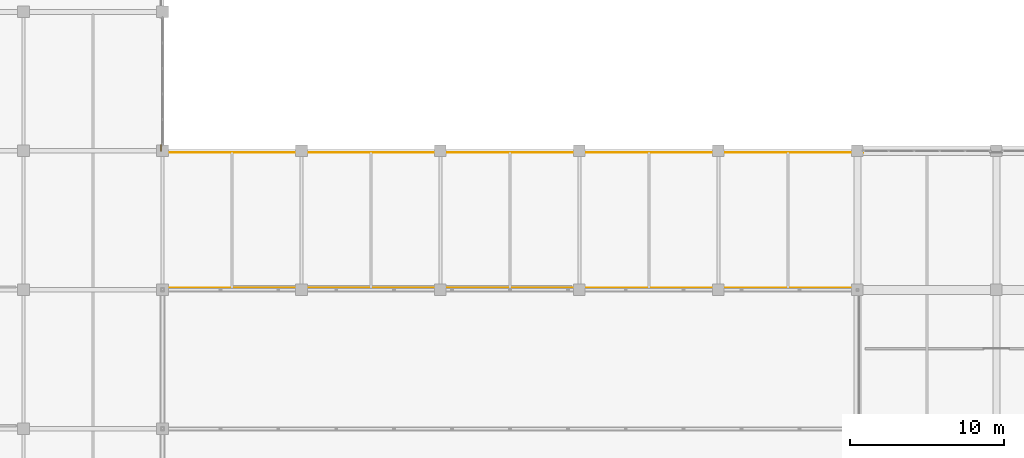
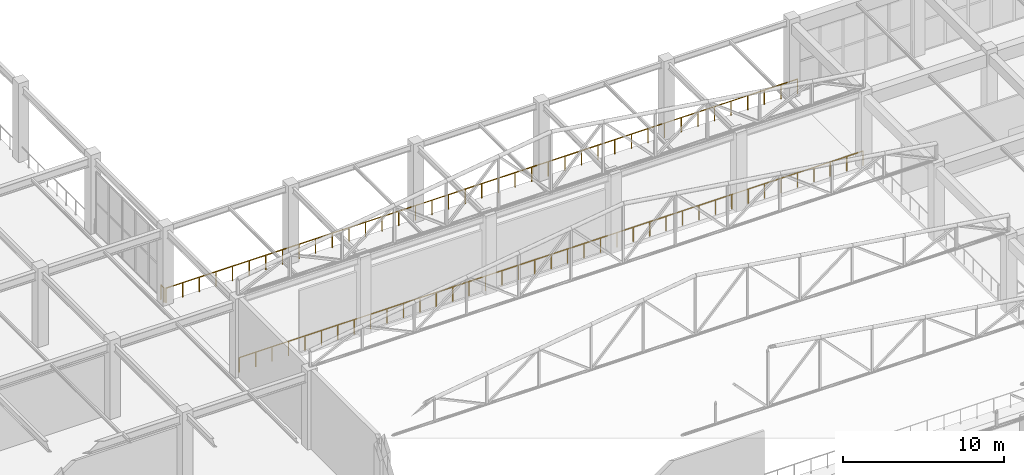
# One storey, part 214 of 223: 3 railings.
"""IFC4 building model written with IfcOpenShell, lengths in metres."""

from ifc_helpers import new_model, si_unit, direction, frame, origin, origin_2d, place, context, subcontext, project, spatial, circle, extrude, material, type_object, element, save


model = new_model("IFC4")

# Units and contexts
model_context = context("Model", 3, precision=1e-05, world=origin(), true_north=direction((0.0, 1.0)))
body_context = subcontext(model_context, "Body", "Model", "MODEL_VIEW")
ifc_project = project(units=[si_unit("LENGTHUNIT", "METRE"), si_unit("AREAUNIT", "SQUARE_METRE"), si_unit("VOLUMEUNIT", "CUBIC_METRE"), si_unit("PLANEANGLEUNIT", "RADIAN"), si_unit("MASSUNIT", "GRAM", prefix="KILO")], contexts=[model_context])

# Site, building, storey
site_placement = place(None, origin())
site = spatial("IfcSite", under=ifc_project, at=site_placement, CompositionType="ELEMENT")
building_placement = place(site_placement, origin())
building = spatial("IfcBuilding", under=site, at=building_placement, Name="Dornveld Trade and Exhibition Forum", CompositionType="ELEMENT")
storey_placement = place(building_placement, frame((0.0, 0.0, 6.0)))
storey = spatial("IfcBuildingStorey", under=building, at=storey_placement, Name="L01", CompositionType="ELEMENT", Elevation=6.0)

# Railings
ifc_material = material(Name="Dark-bronze steel and laminated glass balustrade", Category="steel")
railing_type = type_object("IfcRailingType", Name="RL-BALUST-CONC", PredefinedType="BALUSTRADE", material=ifc_material)
railing_1_placement = place(storey_placement, frame((198.0, 45.10009765625, 0.0)))
element("IfcRailing", 1, at=railing_1_placement, inside=storey, type_object=railing_type, Name="L01 deck edge balustrade 8", PredefinedType="BALUSTRADE", context=body_context, shape_type="SweptSolid", body=[
    extrude(circle(Radius=0.02490234375, at=origin_2d()), frame((0.0, 0.0, 1.09521484375), z_axis=(-1.0, 0.0, 0.0), x_axis=(0.0, -1.0, 0.0)), (0.0, 0.0, 1.0), 44.820068359375),
    extrude(circle(Radius=0.02099609375, at=origin_2d()), origin(), (0.0, 0.0, 1.0), 1.070068359375),
    extrude(circle(Radius=0.02099609375, at=origin_2d()), frame((-1.179443359375, 0.0, 0.0)), (0.0, 0.0, 1.0), 1.070068359375),
    extrude(circle(Radius=0.02099609375, at=origin_2d()), frame((-2.35888671875, 0.0, 0.0)), (0.0, 0.0, 1.0), 1.070068359375),
    extrude(circle(Radius=0.02099609375, at=origin_2d()), frame((-3.538330078125, 0.0, 0.0)), (0.0, 0.0, 1.0), 1.070068359375),
    extrude(circle(Radius=0.02099609375, at=origin_2d()), frame((-4.718017578125, 0.0, 0.0)), (0.0, 0.0, 1.0), 1.070068359375),
    extrude(circle(Radius=0.02099609375, at=origin_2d()), frame((-5.8974609375, 0.0, 0.0)), (0.0, 0.0, 1.0), 1.070068359375),
    extrude(circle(Radius=0.02099609375, at=origin_2d()), frame((-7.076904296875, 0.0, 0.0)), (0.0, 0.0, 1.0), 1.070068359375),
    extrude(circle(Radius=0.02099609375, at=origin_2d()), frame((-8.25634765625, 0.0, 0.0)), (0.0, 0.0, 1.0), 1.070068359375),
    extrude(circle(Radius=0.02099609375, at=origin_2d()), frame((-9.435791015625, 0.0, 0.0)), (0.0, 0.0, 1.0), 1.070068359375),
    extrude(circle(Radius=0.02099609375, at=origin_2d()), frame((-10.615234375, 0.0, 0.0)), (0.0, 0.0, 1.0), 1.070068359375),
    extrude(circle(Radius=0.02099609375, at=origin_2d()), frame((-11.794677734375, 0.0, 0.0)), (0.0, 0.0, 1.0), 1.070068359375),
    extrude(circle(Radius=0.02099609375, at=origin_2d()), frame((-12.97412109375, 0.0, 0.0)), (0.0, 0.0, 1.0), 1.070068359375),
    extrude(circle(Radius=0.02099609375, at=origin_2d()), frame((-14.15380859375, 0.0, 0.0)), (0.0, 0.0, 1.0), 1.070068359375),
    extrude(circle(Radius=0.02099609375, at=origin_2d()), frame((-15.333251953125, 0.0, 0.0)), (0.0, 0.0, 1.0), 1.070068359375),
    extrude(circle(Radius=0.02099609375, at=origin_2d()), frame((-16.5126953125, 0.0, 0.0)), (0.0, 0.0, 1.0), 1.070068359375),
    extrude(circle(Radius=0.02099609375, at=origin_2d()), frame((-17.692138671875, 0.0, 0.0)), (0.0, 0.0, 1.0), 1.070068359375),
    extrude(circle(Radius=0.02099609375, at=origin_2d()), frame((-18.87158203125, 0.0, 0.0)), (0.0, 0.0, 1.0), 1.070068359375),
    extrude(circle(Radius=0.02099609375, at=origin_2d()), frame((-20.051025390625, 0.0, 0.0)), (0.0, 0.0, 1.0), 1.070068359375),
    extrude(circle(Radius=0.02099609375, at=origin_2d()), frame((-21.23046875, 0.0, 0.0)), (0.0, 0.0, 1.0), 1.070068359375),
    extrude(circle(Radius=0.02099609375, at=origin_2d()), frame((-22.41015625, 0.0, 0.0)), (0.0, 0.0, 1.0), 1.070068359375),
    extrude(circle(Radius=0.02099609375, at=origin_2d()), frame((-23.589599609375, 0.0, 0.0)), (0.0, 0.0, 1.0), 1.070068359375),
    extrude(circle(Radius=0.02099609375, at=origin_2d()), frame((-24.76904296875, 0.0, 0.0)), (0.0, 0.0, 1.0), 1.070068359375),
    extrude(circle(Radius=0.02099609375, at=origin_2d()), frame((-25.948486328125, 0.0, 0.0)), (0.0, 0.0, 1.0), 1.070068359375),
    extrude(circle(Radius=0.02099609375, at=origin_2d()), frame((-27.1279296875, 0.0, 0.0)), (0.0, 0.0, 1.0), 1.070068359375),
    extrude(circle(Radius=0.02099609375, at=origin_2d()), frame((-28.307373046875, 0.0, 0.0)), (0.0, 0.0, 1.0), 1.070068359375),
    extrude(circle(Radius=0.02099609375, at=origin_2d()), frame((-29.48681640625, 0.0, 0.0)), (0.0, 0.0, 1.0), 1.070068359375),
    extrude(circle(Radius=0.02099609375, at=origin_2d()), frame((-30.666259765625, 0.0, 0.0)), (0.0, 0.0, 1.0), 1.070068359375),
    extrude(circle(Radius=0.02099609375, at=origin_2d()), frame((-31.845947265625, 0.0, 0.0)), (0.0, 0.0, 1.0), 1.070068359375),
    extrude(circle(Radius=0.02099609375, at=origin_2d()), frame((-33.025390625, 0.0, 0.0)), (0.0, 0.0, 1.0), 1.070068359375),
    extrude(circle(Radius=0.02099609375, at=origin_2d()), frame((-34.204833984375, 0.0, 0.0)), (0.0, 0.0, 1.0), 1.070068359375),
    extrude(circle(Radius=0.02099609375, at=origin_2d()), frame((-35.38427734375, 0.0, 0.0)), (0.0, 0.0, 1.0), 1.070068359375),
    extrude(circle(Radius=0.02099609375, at=origin_2d()), frame((-36.563720703125, 0.0, 0.0)), (0.0, 0.0, 1.0), 1.070068359375),
    extrude(circle(Radius=0.02099609375, at=origin_2d()), frame((-37.7431640625, 0.0, 0.0)), (0.0, 0.0, 1.0), 1.070068359375),
    extrude(circle(Radius=0.02099609375, at=origin_2d()), frame((-38.922607421875, 0.0, 0.0)), (0.0, 0.0, 1.0), 1.070068359375),
    extrude(circle(Radius=0.02099609375, at=origin_2d()), frame((-40.10205078125, 0.0, 0.0)), (0.0, 0.0, 1.0), 1.070068359375),
    extrude(circle(Radius=0.02099609375, at=origin_2d()), frame((-41.28173828125, 0.0, 0.0)), (0.0, 0.0, 1.0), 1.070068359375),
    extrude(circle(Radius=0.02099609375, at=origin_2d()), frame((-42.461181640625, 0.0, 0.0)), (0.0, 0.0, 1.0), 1.070068359375),
    extrude(circle(Radius=0.02099609375, at=origin_2d()), frame((-43.640625, 0.0, 0.0)), (0.0, 0.0, 1.0), 1.070068359375),
    extrude(circle(Radius=0.02099609375, at=origin_2d()), frame((-44.820068359375, 0.0, 0.0)), (0.0, 0.0, 1.0), 1.070068359375),
])
railing_2_placement = place(storey_placement, frame((152.89990234375, 54.37109375, 0.0)))
element("IfcRailing", 2, at=railing_2_placement, inside=storey, type_object=railing_type, Name="L01 deck edge balustrade 23", PredefinedType="BALUSTRADE", context=body_context, shape_type="SweptSolid", body=[
    extrude(circle(Radius=0.02490234375, at=origin_2d()), frame((0.0, 0.0, 1.09521484375), z_axis=(0.0, -1.0, 0.0), x_axis=(1.0, 0.0, 0.0)), (0.0, 0.0, 1.0), 0.37109375),
    extrude(circle(Radius=0.02099609375, at=origin_2d()), origin(), (0.0, 0.0, 1.0), 1.070068359375),
    extrude(circle(Radius=0.02099609375, at=origin_2d()), frame((0.0, -0.37109375, 0.0)), (0.0, 0.0, 1.0), 1.070068359375),
])
railing_3_placement = place(storey_placement, frame((153.0, 53.89990234375, 0.0)))
element("IfcRailing", 3, at=railing_3_placement, inside=storey, type_object=railing_type, Name="L01 deck edge balustrade 24", PredefinedType="BALUSTRADE", context=body_context, shape_type="SweptSolid", body=[
    extrude(circle(Radius=0.02490234375, at=origin_2d()), frame((0.0, 0.0, 1.09521484375), z_axis=(1.0, 0.0, 0.0), x_axis=(0.0, 1.0, 0.0)), (0.0, 0.0, 1.0), 45.37109375),
    extrude(circle(Radius=0.02099609375, at=origin_2d()), origin(), (0.0, 0.0, 1.0), 1.070068359375),
    extrude(circle(Radius=0.02099609375, at=origin_2d()), frame((1.194091796875, 0.0, 0.0)), (0.0, 0.0, 1.0), 1.070068359375),
    extrude(circle(Radius=0.02099609375, at=origin_2d()), frame((2.387939453125, 0.0, 0.0)), (0.0, 0.0, 1.0), 1.070068359375),
    extrude(circle(Radius=0.02099609375, at=origin_2d()), frame((3.58203125, 0.0, 0.0)), (0.0, 0.0, 1.0), 1.070068359375),
    extrude(circle(Radius=0.02099609375, at=origin_2d()), frame((4.77587890625, 0.0, 0.0)), (0.0, 0.0, 1.0), 1.070068359375),
    extrude(circle(Radius=0.02099609375, at=origin_2d()), frame((5.969970703125, 0.0, 0.0)), (0.0, 0.0, 1.0), 1.070068359375),
    extrude(circle(Radius=0.02099609375, at=origin_2d()), frame((7.163818359375, 0.0, 0.0)), (0.0, 0.0, 1.0), 1.070068359375),
    extrude(circle(Radius=0.02099609375, at=origin_2d()), frame((8.35791015625, 0.0, 0.0)), (0.0, 0.0, 1.0), 1.070068359375),
    extrude(circle(Radius=0.02099609375, at=origin_2d()), frame((9.5517578125, 0.0, 0.0)), (0.0, 0.0, 1.0), 1.070068359375),
    extrude(circle(Radius=0.02099609375, at=origin_2d()), frame((10.745849609375, 0.0, 0.0)), (0.0, 0.0, 1.0), 1.070068359375),
    extrude(circle(Radius=0.02099609375, at=origin_2d()), frame((11.939697265625, 0.0, 0.0)), (0.0, 0.0, 1.0), 1.070068359375),
    extrude(circle(Radius=0.02099609375, at=origin_2d()), frame((13.1337890625, 0.0, 0.0)), (0.0, 0.0, 1.0), 1.070068359375),
    extrude(circle(Radius=0.02099609375, at=origin_2d()), frame((14.32763671875, 0.0, 0.0)), (0.0, 0.0, 1.0), 1.070068359375),
    extrude(circle(Radius=0.02099609375, at=origin_2d()), frame((15.521728515625, 0.0, 0.0)), (0.0, 0.0, 1.0), 1.070068359375),
    extrude(circle(Radius=0.02099609375, at=origin_2d()), frame((16.715576171875, 0.0, 0.0)), (0.0, 0.0, 1.0), 1.070068359375),
    extrude(circle(Radius=0.02099609375, at=origin_2d()), frame((17.90966796875, 0.0, 0.0)), (0.0, 0.0, 1.0), 1.070068359375),
    extrude(circle(Radius=0.02099609375, at=origin_2d()), frame((19.103515625, 0.0, 0.0)), (0.0, 0.0, 1.0), 1.070068359375),
    extrude(circle(Radius=0.02099609375, at=origin_2d()), frame((20.297607421875, 0.0, 0.0)), (0.0, 0.0, 1.0), 1.070068359375),
    extrude(circle(Radius=0.02099609375, at=origin_2d()), frame((21.491455078125, 0.0, 0.0)), (0.0, 0.0, 1.0), 1.070068359375),
    extrude(circle(Radius=0.02099609375, at=origin_2d()), frame((22.685546875, 0.0, 0.0)), (0.0, 0.0, 1.0), 1.070068359375),
    extrude(circle(Radius=0.02099609375, at=origin_2d()), frame((23.879638671875, 0.0, 0.0)), (0.0, 0.0, 1.0), 1.070068359375),
    extrude(circle(Radius=0.02099609375, at=origin_2d()), frame((25.073486328125, 0.0, 0.0)), (0.0, 0.0, 1.0), 1.070068359375),
    extrude(circle(Radius=0.02099609375, at=origin_2d()), frame((26.267578125, 0.0, 0.0)), (0.0, 0.0, 1.0), 1.070068359375),
    extrude(circle(Radius=0.02099609375, at=origin_2d()), frame((27.46142578125, 0.0, 0.0)), (0.0, 0.0, 1.0), 1.070068359375),
    extrude(circle(Radius=0.02099609375, at=origin_2d()), frame((28.655517578125, 0.0, 0.0)), (0.0, 0.0, 1.0), 1.070068359375),
    extrude(circle(Radius=0.02099609375, at=origin_2d()), frame((29.849365234375, 0.0, 0.0)), (0.0, 0.0, 1.0), 1.070068359375),
    extrude(circle(Radius=0.02099609375, at=origin_2d()), frame((31.04345703125, 0.0, 0.0)), (0.0, 0.0, 1.0), 1.070068359375),
    extrude(circle(Radius=0.02099609375, at=origin_2d()), frame((32.2373046875, 0.0, 0.0)), (0.0, 0.0, 1.0), 1.070068359375),
    extrude(circle(Radius=0.02099609375, at=origin_2d()), frame((33.431396484375, 0.0, 0.0)), (0.0, 0.0, 1.0), 1.070068359375),
    extrude(circle(Radius=0.02099609375, at=origin_2d()), frame((34.625244140625, 0.0, 0.0)), (0.0, 0.0, 1.0), 1.070068359375),
    extrude(circle(Radius=0.02099609375, at=origin_2d()), frame((35.8193359375, 0.0, 0.0)), (0.0, 0.0, 1.0), 1.070068359375),
    extrude(circle(Radius=0.02099609375, at=origin_2d()), frame((37.01318359375, 0.0, 0.0)), (0.0, 0.0, 1.0), 1.070068359375),
    extrude(circle(Radius=0.02099609375, at=origin_2d()), frame((38.207275390625, 0.0, 0.0)), (0.0, 0.0, 1.0), 1.070068359375),
    extrude(circle(Radius=0.02099609375, at=origin_2d()), frame((39.401123046875, 0.0, 0.0)), (0.0, 0.0, 1.0), 1.070068359375),
    extrude(circle(Radius=0.02099609375, at=origin_2d()), frame((40.59521484375, 0.0, 0.0)), (0.0, 0.0, 1.0), 1.070068359375),
    extrude(circle(Radius=0.02099609375, at=origin_2d()), frame((41.7890625, 0.0, 0.0)), (0.0, 0.0, 1.0), 1.070068359375),
    extrude(circle(Radius=0.02099609375, at=origin_2d()), frame((42.983154296875, 0.0, 0.0)), (0.0, 0.0, 1.0), 1.070068359375),
    extrude(circle(Radius=0.02099609375, at=origin_2d()), frame((44.177001953125, 0.0, 0.0)), (0.0, 0.0, 1.0), 1.070068359375),
    extrude(circle(Radius=0.02099609375, at=origin_2d()), frame((45.37109375, 0.0, 0.0)), (0.0, 0.0, 1.0), 1.070068359375),
])

save(model, "model.ifc")
